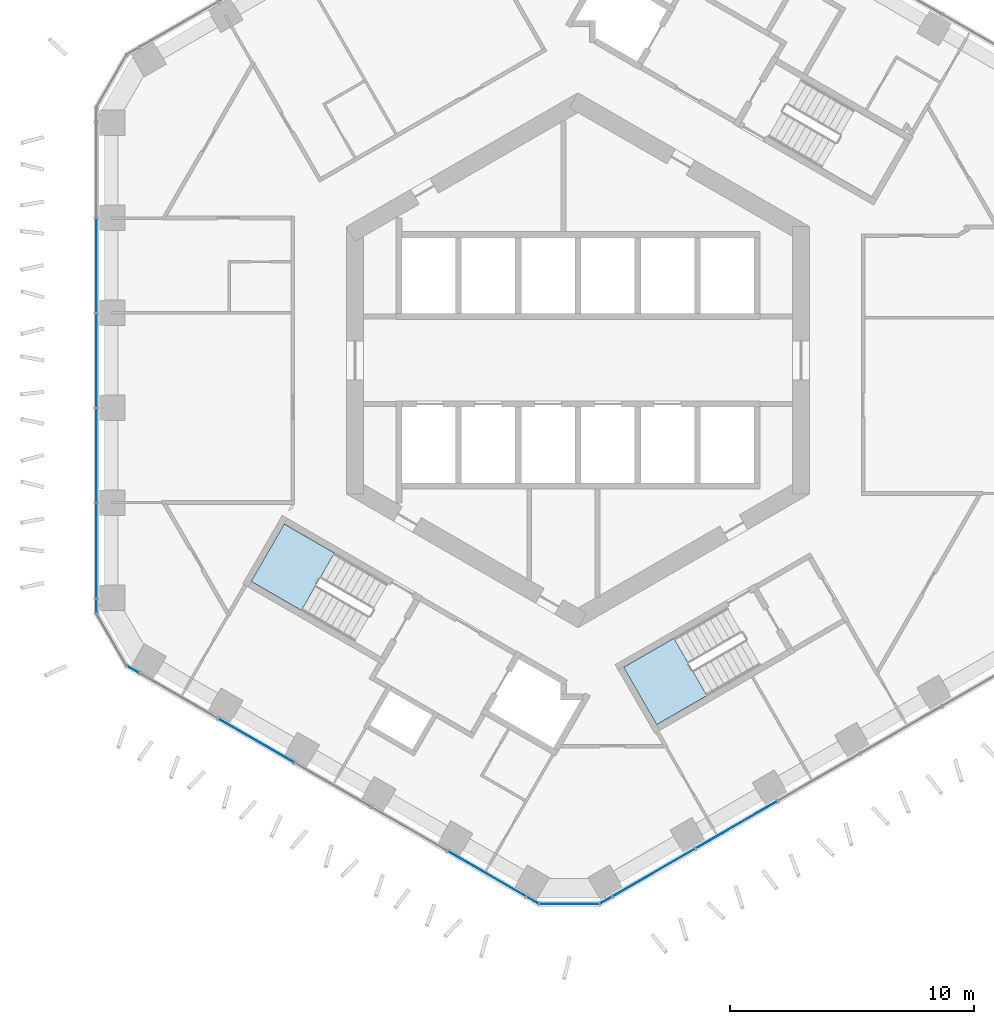
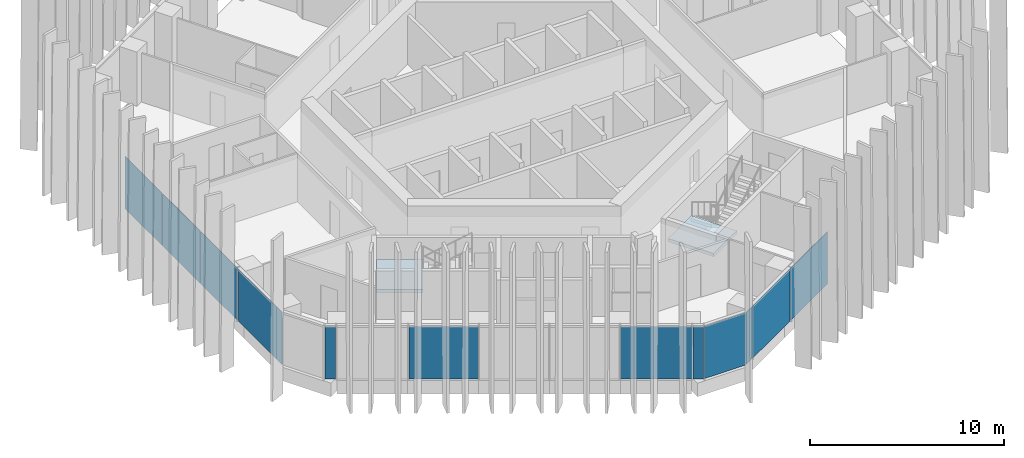
# One storey, part 8 of 19: 13 plates, 2 slabs, 7 elements without a shape of their own.
"""IFC4 building model written with IfcOpenShell, lengths in metres."""

from ifc_helpers import new_model, si_unit, direction, frame, origin, origin_2d, place, context, subcontext, project, spatial, polyline, rectangle, outline, extrude, material, layer, layer_set, type_object, element, aggregate, save


model = new_model("IFC4")

# Units and contexts
model_context = context("Model", 3, precision=1e-05, world=origin(), true_north=direction((0.0, 1.0)))
body_context = subcontext(model_context, "Body", "Model", "MODEL_VIEW")
ifc_project = project(units=[si_unit("LENGTHUNIT", "METRE"), si_unit("AREAUNIT", "SQUARE_METRE"), si_unit("VOLUMEUNIT", "CUBIC_METRE"), si_unit("PLANEANGLEUNIT", "RADIAN"), si_unit("MASSUNIT", "GRAM", prefix="KILO")], contexts=[model_context])

# Site, building, storey
site_placement = place(None, origin())
site = spatial("IfcSite", under=ifc_project, at=site_placement, CompositionType="ELEMENT")
building_placement = place(site_placement, origin())
building = spatial("IfcBuilding", under=site, at=building_placement, Name="Ayvan Gate Tower", CompositionType="ELEMENT")
storey_placement = place(building_placement, frame((0.0, 0.0, 103.5)))
storey = spatial("IfcBuildingStorey", under=building, at=storey_placement, Name="L27", CompositionType="ELEMENT", Elevation=103.5)

# Stair, slab
ifc_material_1 = material(Name="Concrete C40/50", Category="concrete")
stair_type = type_object("IfcStairType", Name="ST-EXIT", PredefinedType="HALF_TURN_STAIR", material=ifc_material_1)
stair_1_placement = place(storey_placement, origin())
stair_1 = element("IfcStair", 1, at=stair_1_placement, inside=storey, type_object=stair_type, Name="L27 Exit Stair S2", PredefinedType="HALF_TURN_STAIR")
ifc_layer_1 = layer(ifc_material_1, 0.199951171875)
ifc_layer_set_1 = layer_set([ifc_layer_1], Name="Concrete C40/50")
slab_type = type_object("IfcSlabType", Name="SL-LANDING-200", PredefinedType="LANDING", material=ifc_layer_set_1)
slab_1_placement = place(storey_placement, frame((0.0, 0.0, 1.5)))
slab_1 = element("IfcSlab", 2, at=slab_1_placement, type_object=slab_type, Name="STS2 landing 1", PredefinedType="LANDING", context=body_context, shape_type="SweptSolid", body=[
    extrude(outline(polyline([(-9.988525390625, -7.91064453125), (-12.049560546875, -6.720458984375), (-13.404541015625, -9.0673828125), (-11.343505859375, -10.257568359375), (-9.988525390625, -7.91064453125)])), origin(), (0.0, 0.0, 1.0), 0.199951171875),
])
aggregate(stair_1, [slab_1])

stair_2_placement = place(storey_placement, origin())
stair_2 = element("IfcStair", 3, at=stair_2_placement, inside=storey, type_object=stair_type, Name="L27 Exit Stair S3", PredefinedType="HALF_TURN_STAIR")
slab_2_placement = place(storey_placement, frame((0.0, 0.0, 1.5)))
slab_2 = element("IfcSlab", 4, at=slab_2_placement, type_object=slab_type, Name="STS3 landing 1", PredefinedType="LANDING", context=body_context, shape_type="SweptSolid", body=[
    extrude(outline(polyline([(3.93505859375, -11.405517578125), (1.873779296875, -12.595458984375), (3.228759765625, -14.9423828125), (5.2900390625, -13.75244140625), (3.93505859375, -11.405517578125)])), origin(), (0.0, 0.0, 1.0), 0.199951171875),
])
aggregate(stair_2, [slab_2])

# Curtain wall, plates
ifc_material_2 = material(Name="Bronze anodised aluminium", Category="aluminium")
ifc_layer_2 = layer(ifc_material_2, 0.199951171875)
ifc_layer_set_2 = layer_set([ifc_layer_2], Name="Bronze anodised aluminium")
curtain_wall_type_1 = type_object("IfcCurtainWallType", Name="Stick curtain wall CW-1", PredefinedType="NOTDEFINED", material=ifc_layer_set_2)
curtain_wall_1_placement = place(storey_placement, origin())
curtain_wall_1 = element("IfcCurtainWall", 5, at=curtain_wall_1_placement, inside=storey, type_object=curtain_wall_type_1, Name="Stick curtain wall CW-1 L27", PredefinedType="NOTDEFINED")
ifc_material_3 = material(Name="Clear low-iron laminated glass", Category="glass")
ifc_layer_3 = layer(ifc_material_3, 0.028076171875)
ifc_layer_set_3 = layer_set([ifc_layer_3], Name="Clear low-iron laminated glass")
plate_type_1 = type_object("IfcPlateType", Name="Stick curtain wall CW-1 glass panel", PredefinedType="CURTAIN_PANEL", material=ifc_layer_set_3)
plate_1_placement = place(storey_placement, frame((-19.75439453125, 3.896240234375, 0.0), z_axis=(0.0, 0.0, 1.0), x_axis=(0.0, -1.0, 0.0)))
plate_1 = element("IfcPlate", 6, at=plate_1_placement, type_object=plate_type_1, Name="CW-1 glass panel 2", PredefinedType="CURTAIN_PANEL", context=body_context, shape_type="SweptSolid", body=[
    extrude(rectangle(XDim=3.8369140625, YDim=0.028076171875, at=origin_2d()), origin(), (0.0, 0.0, 1.0), 3.280029296875),
])
plate_2_placement = place(storey_placement, frame((-19.75439453125, -0.000244140625, 0.0), z_axis=(0.0, 0.0, 1.0), x_axis=(0.0, -1.0, 0.0)))
plate_2 = element("IfcPlate", 7, at=plate_2_placement, type_object=plate_type_1, Name="CW-1 glass panel 3", PredefinedType="CURTAIN_PANEL", context=body_context, shape_type="SweptSolid", body=[
    extrude(rectangle(XDim=3.8359375, YDim=0.028076171875, at=origin_2d()), origin(), (0.0, 0.0, 1.0), 3.280029296875),
])
plate_3_placement = place(storey_placement, frame((-19.75439453125, -3.896240234375, 0.0), z_axis=(0.0, 0.0, 1.0), x_axis=(0.0, -1.0, 0.0)))
plate_3 = element("IfcPlate", 8, at=plate_3_placement, type_object=plate_type_1, Name="CW-1 glass panel 4", PredefinedType="CURTAIN_PANEL", context=body_context, shape_type="SweptSolid", body=[
    extrude(rectangle(XDim=3.8359375, YDim=0.028076171875, at=origin_2d()), origin(), (0.0, 0.0, 1.0), 3.280029296875),
])
plate_4_placement = place(storey_placement, frame((-19.75439453125, -7.824951171875, 0.0), z_axis=(0.0, 0.0, 1.0), x_axis=(0.0, -1.0, 0.0)))
plate_4 = element("IfcPlate", 9, at=plate_4_placement, type_object=plate_type_1, Name="CW-1 glass panel 5", PredefinedType="CURTAIN_PANEL", context=body_context, shape_type="SweptSolid", body=[
    extrude(rectangle(XDim=3.901611328125, YDim=0.028076171875, at=origin_2d()), origin(), (0.0, 0.0, 1.0), 3.280029296875),
])
aggregate(curtain_wall_1, [plate_1, plate_2, plate_3, plate_4])

curtain_wall_2_placement = place(storey_placement, origin())
curtain_wall_2 = element("IfcCurtainWall", 10, at=curtain_wall_2_placement, inside=storey, type_object=curtain_wall_type_1, Name="Stick curtain wall CW-1 L27", PredefinedType="NOTDEFINED")
plate_5_placement = place(storey_placement, frame((-13.19775390625, -15.60205078125, 0.0), z_axis=(0.0, 0.0, 1.0), x_axis=(0.866025403784, -0.5, 0.0)))
plate_5 = element("IfcPlate", 11, at=plate_5_placement, type_object=plate_type_1, Name="CW-1 glass panel 2", PredefinedType="CURTAIN_PANEL", context=body_context, shape_type="SweptSolid", body=[
    extrude(rectangle(XDim=3.569091796875, YDim=0.028076171875, at=origin_2d()), origin(), (0.0, 0.0, 1.0), 3.280029296875),
])
plate_6_placement = place(storey_placement, frame((-3.718994140625, -21.074462890625, 0.0), z_axis=(0.0, 0.0, 1.0), x_axis=(0.866025403784, -0.5, 0.0)))
plate_6 = element("IfcPlate", 12, at=plate_6_placement, type_object=plate_type_1, Name="CW-1 glass panel 5", PredefinedType="CURTAIN_PANEL", context=body_context, shape_type="SweptSolid", body=[
    extrude(rectangle(XDim=3.68505859375, YDim=0.028076171875, at=origin_2d()), origin(), (0.0, 0.0, 1.0), 3.280029296875),
])
aggregate(curtain_wall_2, [plate_5, plate_6])

curtain_wall_3_placement = place(storey_placement, origin())
curtain_wall_3 = element("IfcCurtainWall", 13, at=curtain_wall_3_placement, inside=storey, type_object=curtain_wall_type_1, Name="Stick curtain wall CW-1 L27", PredefinedType="NOTDEFINED")
plate_7_placement = place(storey_placement, frame((3.100341796875, -21.0205078125, 0.0), z_axis=(0.0, 0.0, 1.0), x_axis=(0.866025403784, 0.5, 0.0)))
plate_7 = element("IfcPlate", 14, at=plate_7_placement, type_object=plate_type_1, Name="CW-1 glass panel 1", PredefinedType="CURTAIN_PANEL", context=body_context, shape_type="SweptSolid", body=[
    extrude(rectangle(XDim=3.90087890625, YDim=0.028076171875, at=origin_2d()), origin(), (0.0, 0.0, 1.0), 3.280029296875),
])
plate_8_placement = place(storey_placement, frame((6.5029296875, -19.05615234375, 0.0), z_axis=(0.0, 0.0, 1.0), x_axis=(0.866025403784, 0.5, 0.0)))
plate_8 = element("IfcPlate", 15, at=plate_8_placement, type_object=plate_type_1, Name="CW-1 glass panel 2", PredefinedType="CURTAIN_PANEL", context=body_context, shape_type="SweptSolid", body=[
    extrude(rectangle(XDim=3.8369140625, YDim=0.028076171875, at=origin_2d()), origin(), (0.0, 0.0, 1.0), 3.280029296875),
])
aggregate(curtain_wall_3, [plate_7, plate_8])

ifc_layer_4 = layer(ifc_material_2, 0.199951171875)
ifc_layer_set_4 = layer_set([ifc_layer_4], Name="Bronze anodised aluminium")
curtain_wall_type_2 = type_object("IfcCurtainWallType", Name="Stick curtain wall CW-6", PredefinedType="NOTDEFINED", material=ifc_layer_set_4)
curtain_wall_4_placement = place(storey_placement, origin())
curtain_wall_4 = element("IfcCurtainWall", 16, at=curtain_wall_4_placement, inside=storey, type_object=curtain_wall_type_2, Name="Stick curtain wall CW-6 L27", PredefinedType="NOTDEFINED")
ifc_layer_5 = layer(ifc_material_3, 0.028076171875)
ifc_layer_set_5 = layer_set([ifc_layer_5], Name="Clear low-iron laminated glass")
plate_type_2 = type_object("IfcPlateType", Name="Stick curtain wall CW-6 glass panel", PredefinedType="CURTAIN_PANEL", material=ifc_layer_set_5)
plate_9_placement = place(storey_placement, frame((-19.75439453125, -10.080810546875, 0.0), z_axis=(0.0, 0.0, 1.0), x_axis=(0.0, -1.0, 0.0)))
plate_9 = element("IfcPlate", 17, at=plate_9_placement, type_object=plate_type_2, Name="CW-6 glass panel 1", PredefinedType="CURTAIN_PANEL", context=body_context, shape_type="SweptSolid", body=[
    extrude(rectangle(XDim=0.550048828125, YDim=0.028076171875, at=origin_2d()), origin(), (0.0, 0.0, 1.0), 3.280029296875),
])
plate_10_placement = place(storey_placement, frame((-18.25146484375, -12.684326171875, 0.0), z_axis=(0.0, 0.0, 1.0), x_axis=(0.866025403784, -0.5, 0.0)))
plate_10 = element("IfcPlate", 18, at=plate_10_placement, type_object=plate_type_2, Name="CW-6 glass panel 3", PredefinedType="CURTAIN_PANEL", context=body_context, shape_type="SweptSolid", body=[
    extrude(rectangle(XDim=0.550048828125, YDim=0.028076171875, at=origin_2d()), origin(), (0.0, 0.0, 1.0), 3.280029296875),
])
aggregate(curtain_wall_4, [plate_9, plate_10])

curtain_wall_5_placement = place(storey_placement, origin())
curtain_wall_5 = element("IfcCurtainWall", 19, at=curtain_wall_5_placement, inside=storey, type_object=curtain_wall_type_2, Name="Stick curtain wall CW-6 L27", PredefinedType="NOTDEFINED")
plate_11_placement = place(storey_placement, frame((-1.859130859375, -22.148193359375, 0.0), z_axis=(0.0, 0.0, 1.0), x_axis=(0.866025403784, -0.5, 0.0)))
plate_11 = element("IfcPlate", 20, at=plate_11_placement, type_object=plate_type_2, Name="CW-6 glass panel 1", PredefinedType="CURTAIN_PANEL", context=body_context, shape_type="SweptSolid", body=[
    extrude(rectangle(XDim=0.550048828125, YDim=0.028076171875, at=origin_2d()), origin(), (0.0, 0.0, 1.0), 3.280029296875),
])
plate_12_placement = place(storey_placement, frame((-0.356201171875, -22.29833984375, 0.0), z_axis=(0.0, 0.0, 1.0), x_axis=(1.0, 0.0, 0.0)))
plate_12 = element("IfcPlate", 21, at=plate_12_placement, type_object=plate_type_2, Name="CW-6 glass panel 2", PredefinedType="CURTAIN_PANEL", context=body_context, shape_type="SweptSolid", body=[
    extrude(rectangle(XDim=2.4365234375, YDim=0.028076171875, at=origin_2d()), origin(), (0.0, 0.0, 1.0), 3.280029296875),
])
plate_13_placement = place(storey_placement, frame((1.14697265625, -22.148193359375, 0.0), z_axis=(0.0, 0.0, 1.0), x_axis=(0.866025403784, 0.5, 0.0)))
plate_13 = element("IfcPlate", 22, at=plate_13_placement, type_object=plate_type_2, Name="CW-6 glass panel 3", PredefinedType="CURTAIN_PANEL", context=body_context, shape_type="SweptSolid", body=[
    extrude(rectangle(XDim=0.550048828125, YDim=0.028076171875, at=origin_2d()), origin(), (0.0, 0.0, 1.0), 3.280029296875),
])
aggregate(curtain_wall_5, [plate_11, plate_12, plate_13])

save(model, "model.ifc")
